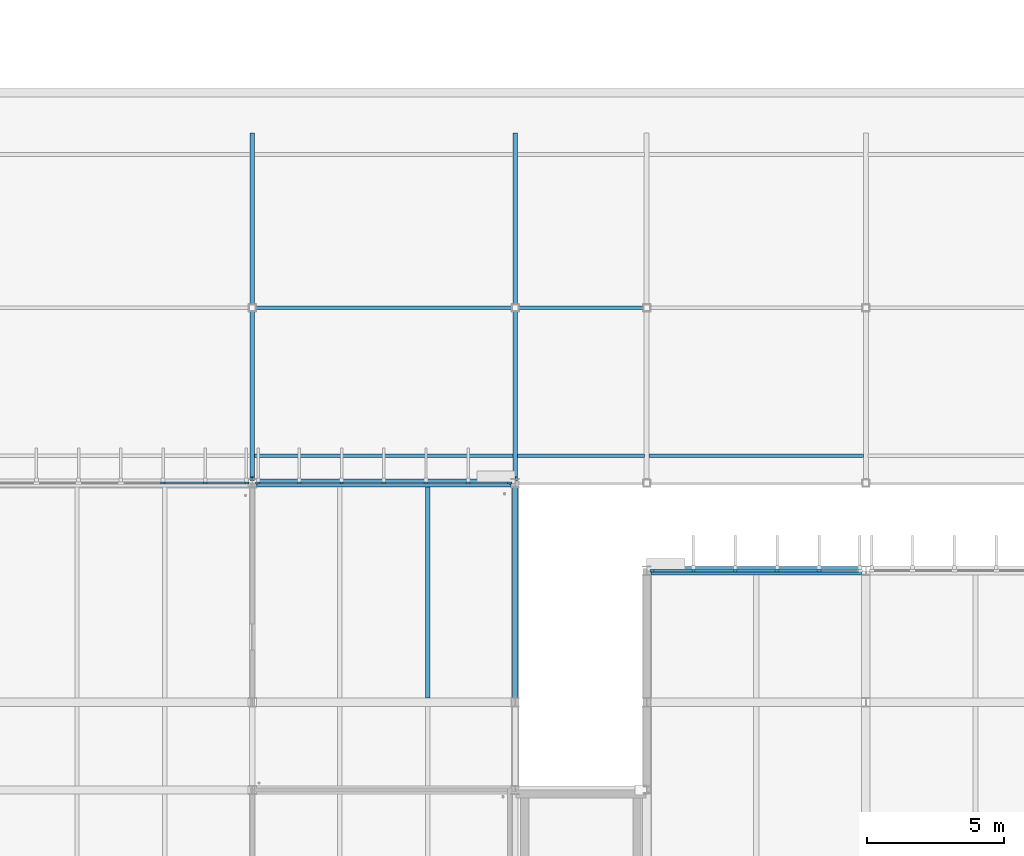
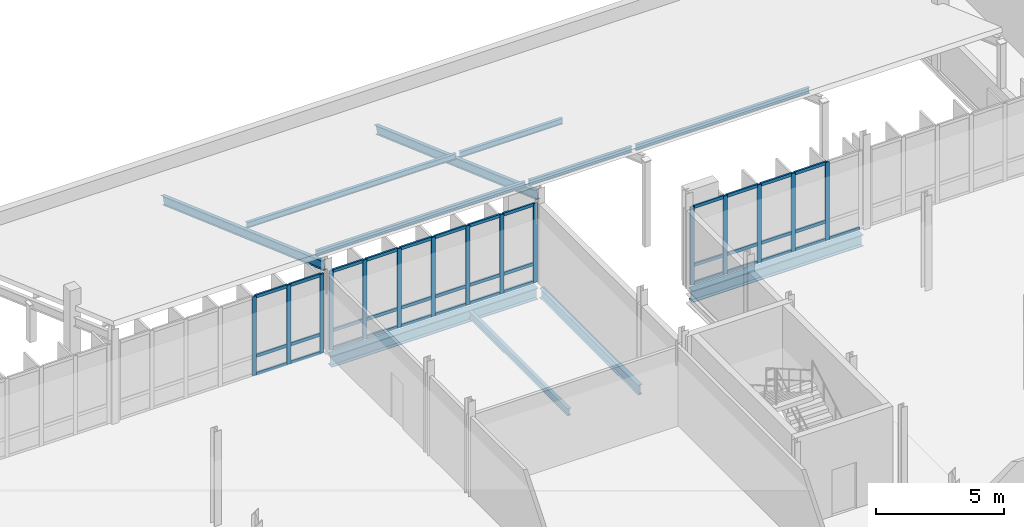
# One storey, part 31 of 107: 59 members, 4 beams, 3 elements without a shape of their own.
"""IFC4 building model written with IfcOpenShell, lengths in metres."""

import ifcopenshell
import ifcopenshell.guid

model = None  # the IFC model being written
_history = None  # IfcOwnerHistory: only IFC2X3 demands one
_inside = {}  # id of a spatial element -> (the spatial element, [elements in it])
_under = {}  # id of a project, library or spatial element -> (it, [spatial elements below it])
_declared = {}  # id of a project -> (the project, [libraries it declares])
_typed = {}  # id of a type object -> (the type object, [elements of that type])
_made_of = {}  # id of a material, layer set ... -> (it, [elements and type objects made of it])


def new_model(schema):
    """Start an empty IFC model of exactly this schema.

    Asked for "IFC4X3", IfcOpenShell would pick the latest addendum, in which some entities
    have other attributes; the version numbers below select the first issue.
    IFC2X3 requires an IfcOwnerHistory on every rooted entity: one is made here for all.
    """
    global model, _history
    if schema == "IFC4X3":
        model = ifcopenshell.file(schema_version=(4, 3, 0, 0))
    else:
        model = ifcopenshell.file(schema=schema)
    _inside.clear()
    _under.clear()
    _declared.clear()
    _typed.clear()
    _made_of.clear()
    _history = None
    if model.schema == "IFC2X3":
        org = make("IfcOrganization", Name="unknown")
        user = make(
            "IfcPersonAndOrganization",
            ThePerson=make("IfcPerson", FamilyName="unknown"),
            TheOrganization=org,
        )
        app = make(
            "IfcApplication",
            ApplicationDeveloper=org,
            Version="unknown",
            ApplicationFullName="unknown",
            ApplicationIdentifier="unknown",
        )
        _history = make(
            "IfcOwnerHistory",
            OwningUser=user,
            OwningApplication=app,
            ChangeAction="ADDED",
            CreationDate=0,
        )
    return model


def make(cls, **values):
    """One entity of the class cls with the attributes given. An attribute that is None is left unset."""
    return model.create_entity(
        cls, **{name: value for name, value in values.items() if value is not None}
    )


def rooted(cls, **values):
    """An entity with a GlobalId (a new one), such as an element, a storey or a relation."""
    return make(cls, GlobalId=ifcopenshell.guid.new(), OwnerHistory=_history, **values)


def si_unit(unit_type, name, prefix=None):
    """IfcSIUnit, for example si_unit("LENGTHUNIT", "METRE", prefix="MILLI")."""
    return make("IfcSIUnit", UnitType=unit_type, Prefix=prefix, Name=name)


def assignment(units):
    """IfcUnitAssignment: the units of a project."""
    return None if units is None else make("IfcUnitAssignment", Units=units)


def point(xyz):
    """IfcCartesianPoint."""
    return None if xyz is None else make("IfcCartesianPoint", Coordinates=xyz)


def direction(xyz):
    """IfcDirection."""
    return None if xyz is None else make("IfcDirection", DirectionRatios=xyz)


def frame(location, z_axis=None, x_axis=None):
    """IfcAxis2Placement3D, a coordinate frame: its origin and axes. An axis left out is left unset."""
    return make(
        "IfcAxis2Placement3D",
        Location=point(location),
        Axis=direction(z_axis),
        RefDirection=direction(x_axis),
    )


def frame_2d(location, x_axis=None):
    """IfcAxis2Placement2D, a coordinate frame in the plane: its origin and x axis."""
    return make(
        "IfcAxis2Placement2D", Location=point(location), RefDirection=direction(x_axis)
    )


def origin():
    """The frame at (0, 0, 0) with its axes left unset."""
    return frame((0.0, 0.0, 0.0))


def origin_2d():
    """The frame at (0, 0) in the plane with its x axis left unset."""
    return frame_2d((0.0, 0.0))


def place(relative_to, where):
    """IfcLocalPlacement: puts the frame where relative to a parent placement (None: the world)."""
    return make(
        "IfcLocalPlacement", PlacementRelTo=relative_to, RelativePlacement=where
    )


def context(
    kind, dimensions, precision=None, world=None, true_north=None, identifier=None
):
    """IfcGeometricRepresentationContext, for example the 3D "Model" context."""
    return make(
        "IfcGeometricRepresentationContext",
        ContextIdentifier=identifier,
        ContextType=kind,
        CoordinateSpaceDimension=dimensions,
        Precision=precision,
        WorldCoordinateSystem=world,
        TrueNorth=true_north,
    )


def subcontext(parent, identifier, kind, view, scale=None):
    """IfcGeometricRepresentationSubContext, for example "Body" below "Model"."""
    return make(
        "IfcGeometricRepresentationSubContext",
        ContextIdentifier=identifier,
        ContextType=kind,
        ParentContext=parent,
        TargetScale=scale,
        TargetView=view,
    )


def project(units=None, contexts=None):
    """IfcProject with its units and contexts."""
    return rooted(
        "IfcProject",
        Name="project",
        RepresentationContexts=contexts,
        UnitsInContext=assignment(units),
    )


def spatial(cls, under=None, at=None, **own):
    """A site, building, storey or space (cls), placed at a placement, below another one or the project."""
    s = rooted(cls, ObjectPlacement=at, **own)
    if under is not None:
        _under.setdefault(under.id(), (under, []))[1].append(s)
    return s


def profile(cls, at=None, kind="AREA", **sizes):
    """A parametric profile (cls). Its sizes go by their IFC names, for example OverallWidth=200.0."""
    return make(cls, ProfileType=kind, Position=at, **sizes)


def rectangle(**sizes):
    """IfcRectangleProfileDef."""
    return profile("IfcRectangleProfileDef", **sizes)


def i_section(**sizes):
    """IfcIShapeProfileDef."""
    return profile("IfcIShapeProfileDef", **sizes)


def extrude(swept, where, along, depth):
    """IfcExtrudedAreaSolid: the profile swept, set in the frame where, extruded along a direction by depth."""
    return make(
        "IfcExtrudedAreaSolid",
        SweptArea=swept,
        Position=where,
        ExtrudedDirection=direction(along),
        Depth=depth,
    )


def shape(context_of_items, identifier, shape_type, items):
    """IfcShapeRepresentation: the items that make up one representation, for example the "Body"."""
    return make(
        "IfcShapeRepresentation",
        ContextOfItems=context_of_items,
        RepresentationIdentifier=identifier,
        RepresentationType=shape_type,
        Items=items,
    )


def material(Name=None, Category=None):
    """IfcMaterial."""
    return make("IfcMaterial", Name=Name, Category=Category)


def material_profile(
    of_material, cross_section, Name=None, Category=None, Priority=None
):
    """IfcMaterialProfile: a cross section and its material."""
    return make(
        "IfcMaterialProfile",
        Name=Name,
        Material=of_material,
        Profile=cross_section,
        Priority=Priority,
        Category=Category,
    )


def profile_set(profiles, Name=None, composite=None):
    """IfcMaterialProfileSet."""
    return make(
        "IfcMaterialProfileSet",
        Name=Name,
        MaterialProfiles=profiles,
        CompositeProfile=composite,
    )


def made_of(thing, what):
    """Note that an element or type object is made of a material, layer set ...; save() writes the relation."""
    if what is not None:
        _made_of.setdefault(what.id(), (what, []))[1].append(thing)
    return thing


def type_object(cls, material=None, **own):
    """A type object (cls), such as IfcWallType, which elements share."""
    return made_of(rooted(cls, **own), material)


def element(
    cls,
    number,
    at=None,
    inside=None,
    cuts=None,
    type_object=None,
    material=None,
    context=None,
    identifier="Body",
    shape_type=None,
    held_by="IfcProductDefinitionShape",
    body=None,
    shapes=None,
    **own,
):
    """One element of the class cls, such as IfcWall. Its Tag is "e" and its number.

    at: its placement. inside: the storey or other place that contains it. cuts: it is an
    opening in that element (IfcRelVoidsElement). A single representation is given by context,
    identifier, shape_type and body (its items); several are given by shapes. held_by: the class
    of the entity that holds the representations. save() writes the other relations.
    """
    e = rooted(cls, Tag="e%d" % number, ObjectPlacement=at, **own)
    if body is not None:
        shapes = [shape(context, identifier, shape_type, body)]
    if shapes is not None:
        e.Representation = make(held_by, Representations=shapes)
    if inside is not None:
        _inside.setdefault(inside.id(), (inside, []))[1].append(e)
    if cuts is not None:
        rooted(
            "IfcRelVoidsElement", RelatingBuildingElement=cuts, RelatedOpeningElement=e
        )
    if type_object is not None:
        _typed.setdefault(type_object.id(), (type_object, []))[1].append(e)
    return made_of(e, material)


def aggregate(whole, parts):
    """IfcRelAggregates: a whole, such as a stair, and the parts it consists of."""
    return rooted("IfcRelAggregates", RelatingObject=whole, RelatedObjects=parts)


def save(model, path):
    """Write the relations noted so far, then the file.

    IfcRelAggregates (storeys below a building ...), IfcRelContainedInSpatialStructure (elements
    in a storey), IfcRelDefinesByType, IfcRelAssociatesMaterial and IfcRelDeclares: one each for
    every whole, place, type object, material and project.
    """
    for whole, parts in _under.values():
        aggregate(whole, parts)
    for where, things in _inside.values():
        rooted(
            "IfcRelContainedInSpatialStructure",
            RelatedElements=things,
            RelatingStructure=where,
        )
    for kind, things in _typed.values():
        rooted("IfcRelDefinesByType", RelatedObjects=things, RelatingType=kind)
    for what, things in _made_of.values():
        rooted("IfcRelAssociatesMaterial", RelatedObjects=things, RelatingMaterial=what)
    for by, libraries in _declared.values():
        rooted("IfcRelDeclares", RelatingContext=by, RelatedDefinitions=libraries)
    model.write(path)


model = new_model("IFC4")

# Units and contexts
model_context = context("Model", 3, precision=1e-05, world=origin(), true_north=direction((0.0, 1.0)))
body_context = subcontext(model_context, "Body", "Model", "MODEL_VIEW")
ifc_project = project(units=[si_unit("LENGTHUNIT", "METRE"), si_unit("AREAUNIT", "SQUARE_METRE"), si_unit("VOLUMEUNIT", "CUBIC_METRE"), si_unit("PLANEANGLEUNIT", "RADIAN"), si_unit("MASSUNIT", "GRAM", prefix="KILO")], contexts=[model_context])

# Site, building, storey
site_placement = place(None, origin())
site = spatial("IfcSite", under=ifc_project, at=site_placement, CompositionType="ELEMENT")
building_placement = place(site_placement, origin())
building = spatial("IfcBuilding", under=site, at=building_placement, Name="Dunescarp Central Library", CompositionType="ELEMENT")
storey_placement = place(building_placement, frame((0.0, 0.0, 5.10009765625)))
storey = spatial("IfcBuildingStorey", under=building, at=storey_placement, Name="L01", CompositionType="ELEMENT", Elevation=5.10009765625)

# Curtain wall, members
ifc_material_1 = material(Name="Marine-grade anodised aluminium 6063-T6", Category="aluminium")
curtain_wall_type = type_object("IfcCurtainWallType", Name="ARC-CW-STICK", PredefinedType="NOTDEFINED", material=ifc_material_1)
curtain_wall_1_placement = place(storey_placement, origin())
curtain_wall_1 = element("IfcCurtainWall", 1, at=curtain_wall_1_placement, inside=storey, type_object=curtain_wall_type, Name="L01 curtain wall CW-V2-052", PredefinedType="NOTDEFINED")
ifc_material_profile_1 = material_profile(ifc_material_1, rectangle(XDim=0.080078125, YDim=0.179931640625, at=origin_2d()), Name="AL 80x180")
ifc_profile_set_1 = profile_set([ifc_material_profile_1], Name="Marine-grade anodised aluminium 6063-T6")
member_type_1 = type_object("IfcMemberType", Name="ARC-CWM-180", PredefinedType="MULLION", material=ifc_profile_set_1)
member_1_placement = place(storey_placement, frame((63.941650390625, 36.800048828125, 0.0), z_axis=(0.0, 0.0, 1.0), x_axis=(0.0, 1.0, 0.0)))
member_1 = element("IfcMember", 2, at=member_1_placement, type_object=member_type_1, Name="CW-V2-052 mullion 5", PredefinedType="MULLION", context=body_context, shape_type="SweptSolid", body=[
    extrude(rectangle(XDim=0.080078125, YDim=0.179931640625, at=origin_2d()), origin(), (0.0, 0.0, 1.0), 3.764892578125),
])
member_2_placement = place(storey_placement, frame((65.4833984375, 36.800048828125, 0.0), z_axis=(0.0, 0.0, 1.0), x_axis=(0.0, 1.0, 0.0)))
member_2 = element("IfcMember", 3, at=member_2_placement, type_object=member_type_1, Name="CW-V2-052 mullion 6", PredefinedType="MULLION", context=body_context, shape_type="SweptSolid", body=[
    extrude(rectangle(XDim=0.080078125, YDim=0.179931640625, at=origin_2d()), origin(), (0.0, 0.0, 1.0), 3.764892578125),
])
member_3_placement = place(storey_placement, frame((66.985107421875, 36.800048828125, 0.0), z_axis=(0.0, 0.0, 1.0), x_axis=(0.0, 1.0, 0.0)))
member_3 = element("IfcMember", 4, at=member_3_placement, type_object=member_type_1, Name="CW-V2-052 mullion 7", PredefinedType="MULLION", context=body_context, shape_type="SweptSolid", body=[
    extrude(rectangle(XDim=0.080078125, YDim=0.179931640625, at=origin_2d()), origin(), (0.0, 0.0, 1.0), 3.764892578125),
])

curtain_wall_2_placement = place(storey_placement, origin())
curtain_wall_2 = element("IfcCurtainWall", 5, at=curtain_wall_2_placement, inside=storey, type_object=curtain_wall_type, Name="L01 curtain wall CW-V2-053", PredefinedType="NOTDEFINED")
member_4_placement = place(storey_placement, frame((67.4150390625, 36.800048828125, 0.0), z_axis=(0.0, 0.0, 1.0), x_axis=(0.0, 1.0, 0.0)))
member_4 = element("IfcMember", 6, at=member_4_placement, type_object=member_type_1, Name="CW-V2-053 mullion 1", PredefinedType="MULLION", context=body_context, shape_type="SweptSolid", body=[
    extrude(rectangle(XDim=0.080078125, YDim=0.179931640625, at=origin_2d()), origin(), (0.0, 0.0, 1.0), 3.764892578125),
])
member_5_placement = place(storey_placement, frame((68.916748046875, 36.800048828125, 0.0), z_axis=(0.0, 0.0, 1.0), x_axis=(0.0, 1.0, 0.0)))
member_5 = element("IfcMember", 7, at=member_5_placement, type_object=member_type_1, Name="CW-V2-053 mullion 2", PredefinedType="MULLION", context=body_context, shape_type="SweptSolid", body=[
    extrude(rectangle(XDim=0.080078125, YDim=0.179931640625, at=origin_2d()), origin(), (0.0, 0.0, 1.0), 3.764892578125),
])
member_6_placement = place(storey_placement, frame((70.458251953125, 36.800048828125, 0.0), z_axis=(0.0, 0.0, 1.0), x_axis=(0.0, 1.0, 0.0)))
member_6 = element("IfcMember", 8, at=member_6_placement, type_object=member_type_1, Name="CW-V2-053 mullion 3", PredefinedType="MULLION", context=body_context, shape_type="SweptSolid", body=[
    extrude(rectangle(XDim=0.080078125, YDim=0.179931640625, at=origin_2d()), origin(), (0.0, 0.0, 1.0), 3.764892578125),
])
member_7_placement = place(storey_placement, frame((72.0, 36.800048828125, 0.0), z_axis=(0.0, 0.0, 1.0), x_axis=(0.0, 1.0, 0.0)))
member_7 = element("IfcMember", 9, at=member_7_placement, type_object=member_type_1, Name="CW-V2-053 mullion 4", PredefinedType="MULLION", context=body_context, shape_type="SweptSolid", body=[
    extrude(rectangle(XDim=0.080078125, YDim=0.179931640625, at=origin_2d()), origin(), (0.0, 0.0, 1.0), 3.764892578125),
])
member_8_placement = place(storey_placement, frame((73.541748046875, 36.800048828125, 0.0), z_axis=(0.0, 0.0, 1.0), x_axis=(0.0, 1.0, 0.0)))
member_8 = element("IfcMember", 10, at=member_8_placement, type_object=member_type_1, Name="CW-V2-053 mullion 5", PredefinedType="MULLION", context=body_context, shape_type="SweptSolid", body=[
    extrude(rectangle(XDim=0.080078125, YDim=0.179931640625, at=origin_2d()), origin(), (0.0, 0.0, 1.0), 3.764892578125),
])
member_9_placement = place(storey_placement, frame((75.083251953125, 36.800048828125, 0.0), z_axis=(0.0, 0.0, 1.0), x_axis=(0.0, 1.0, 0.0)))
member_9 = element("IfcMember", 11, at=member_9_placement, type_object=member_type_1, Name="CW-V2-053 mullion 6", PredefinedType="MULLION", context=body_context, shape_type="SweptSolid", body=[
    extrude(rectangle(XDim=0.080078125, YDim=0.179931640625, at=origin_2d()), origin(), (0.0, 0.0, 1.0), 3.764892578125),
])
member_10_placement = place(storey_placement, frame((76.5849609375, 36.800048828125, 0.0), z_axis=(0.0, 0.0, 1.0), x_axis=(0.0, 1.0, 0.0)))
member_10 = element("IfcMember", 12, at=member_10_placement, type_object=member_type_1, Name="CW-V2-053 mullion 7", PredefinedType="MULLION", context=body_context, shape_type="SweptSolid", body=[
    extrude(rectangle(XDim=0.080078125, YDim=0.179931640625, at=origin_2d()), origin(), (0.0, 0.0, 1.0), 3.764892578125),
])

curtain_wall_3_placement = place(storey_placement, origin())
curtain_wall_3 = element("IfcCurtainWall", 13, at=curtain_wall_3_placement, inside=storey, type_object=curtain_wall_type, Name="L01 curtain wall CW-V3-088", PredefinedType="NOTDEFINED")
member_11_placement = place(storey_placement, frame((81.81494140625, 33.60009765625, 0.0), z_axis=(0.0, 0.0, 1.0), x_axis=(0.0, 1.0, 0.0)))
member_11 = element("IfcMember", 14, at=member_11_placement, type_object=member_type_1, Name="CW-V3-088 mullion 1", PredefinedType="MULLION", context=body_context, shape_type="SweptSolid", body=[
    extrude(rectangle(XDim=0.080078125, YDim=0.179931640625, at=origin_2d()), origin(), (0.0, 0.0, 1.0), 3.71484375),
])
member_12_placement = place(storey_placement, frame((83.304931640625, 33.60009765625, 0.0), z_axis=(0.0, 0.0, 1.0), x_axis=(0.0, 1.0, 0.0)))
member_12 = element("IfcMember", 15, at=member_12_placement, type_object=member_type_1, Name="CW-V3-088 mullion 2", PredefinedType="MULLION", context=body_context, shape_type="SweptSolid", body=[
    extrude(rectangle(XDim=0.080078125, YDim=0.179931640625, at=origin_2d()), origin(), (0.0, 0.0, 1.0), 3.71484375),
])
member_13_placement = place(storey_placement, frame((84.8349609375, 33.60009765625, 0.0), z_axis=(0.0, 0.0, 1.0), x_axis=(0.0, 1.0, 0.0)))
member_13 = element("IfcMember", 16, at=member_13_placement, type_object=member_type_1, Name="CW-V3-088 mullion 3", PredefinedType="MULLION", context=body_context, shape_type="SweptSolid", body=[
    extrude(rectangle(XDim=0.080078125, YDim=0.179931640625, at=origin_2d()), origin(), (0.0, 0.0, 1.0), 3.71484375),
])
member_14_placement = place(storey_placement, frame((86.364990234375, 33.60009765625, 0.0), z_axis=(0.0, 0.0, 1.0), x_axis=(0.0, 1.0, 0.0)))
member_14 = element("IfcMember", 17, at=member_14_placement, type_object=member_type_1, Name="CW-V3-088 mullion 4", PredefinedType="MULLION", context=body_context, shape_type="SweptSolid", body=[
    extrude(rectangle(XDim=0.080078125, YDim=0.179931640625, at=origin_2d()), origin(), (0.0, 0.0, 1.0), 3.71484375),
])
member_15_placement = place(storey_placement, frame((87.89501953125, 33.60009765625, 0.0), z_axis=(0.0, 0.0, 1.0), x_axis=(0.0, 1.0, 0.0)))
member_15 = element("IfcMember", 18, at=member_15_placement, type_object=member_type_1, Name="CW-V3-088 mullion 5", PredefinedType="MULLION", context=body_context, shape_type="SweptSolid", body=[
    extrude(rectangle(XDim=0.080078125, YDim=0.179931640625, at=origin_2d()), origin(), (0.0, 0.0, 1.0), 3.71484375),
])

# Member
ifc_material_profile_2 = material_profile(ifc_material_1, rectangle(XDim=0.080078125, YDim=0.14990234375, at=origin_2d()), Name="AL 80x150")
ifc_profile_set_2 = profile_set([ifc_material_profile_2], Name="Marine-grade anodised aluminium 6063-T6")
member_type_2 = type_object("IfcMemberType", Name="ARC-CWT-150", PredefinedType="USERDEFINED", material=ifc_profile_set_2)
member_16_placement = place(storey_placement, frame((63.981689453125, 36.800048828125, 0.039794921875), z_axis=(1.0, 0.0, 0.0), x_axis=(0.0, 1.0, 0.0)))
member_16 = element("IfcMember", 19, at=member_16_placement, type_object=member_type_2, Name="CW-V2-052 transom 5.1", ObjectType="TRANSOM", PredefinedType="USERDEFINED", context=body_context, shape_type="SweptSolid", body=[
    extrude(rectangle(XDim=0.080078125, YDim=0.14990234375, at=origin_2d()), origin(), (0.0, 0.0, 1.0), 1.461669921875),
])

member_17_placement = place(storey_placement, frame((63.981689453125, 36.800048828125, 0.89990234375), z_axis=(1.0, 0.0, 0.0), x_axis=(0.0, 1.0, 0.0)))
member_17 = element("IfcMember", 20, at=member_17_placement, type_object=member_type_2, Name="CW-V2-052 transom 5.2", ObjectType="TRANSOM", PredefinedType="USERDEFINED", context=body_context, shape_type="SweptSolid", body=[
    extrude(rectangle(XDim=0.080078125, YDim=0.14990234375, at=origin_2d()), origin(), (0.0, 0.0, 1.0), 1.461669921875),
])

member_18_placement = place(storey_placement, frame((63.981689453125, 36.800048828125, 3.724853515625), z_axis=(1.0, 0.0, 0.0), x_axis=(0.0, 1.0, 0.0)))
member_18 = element("IfcMember", 21, at=member_18_placement, type_object=member_type_2, Name="CW-V2-052 transom 5.3", ObjectType="TRANSOM", PredefinedType="USERDEFINED", context=body_context, shape_type="SweptSolid", body=[
    extrude(rectangle(XDim=0.080078125, YDim=0.14990234375, at=origin_2d()), origin(), (0.0, 0.0, 1.0), 1.461669921875),
])

member_19_placement = place(storey_placement, frame((65.5234375, 36.800048828125, 0.039794921875), z_axis=(1.0, 0.0, 0.0), x_axis=(0.0, 1.0, 0.0)))
member_19 = element("IfcMember", 22, at=member_19_placement, type_object=member_type_2, Name="CW-V2-052 transom 6.1", ObjectType="TRANSOM", PredefinedType="USERDEFINED", context=body_context, shape_type="SweptSolid", body=[
    extrude(rectangle(XDim=0.080078125, YDim=0.14990234375, at=origin_2d()), origin(), (0.0, 0.0, 1.0), 1.421630859375),
])

member_20_placement = place(storey_placement, frame((65.5234375, 36.800048828125, 0.89990234375), z_axis=(1.0, 0.0, 0.0), x_axis=(0.0, 1.0, 0.0)))
member_20 = element("IfcMember", 23, at=member_20_placement, type_object=member_type_2, Name="CW-V2-052 transom 6.2", ObjectType="TRANSOM", PredefinedType="USERDEFINED", context=body_context, shape_type="SweptSolid", body=[
    extrude(rectangle(XDim=0.080078125, YDim=0.14990234375, at=origin_2d()), origin(), (0.0, 0.0, 1.0), 1.421630859375),
])

member_21_placement = place(storey_placement, frame((65.5234375, 36.800048828125, 3.724853515625), z_axis=(1.0, 0.0, 0.0), x_axis=(0.0, 1.0, 0.0)))
member_21 = element("IfcMember", 24, at=member_21_placement, type_object=member_type_2, Name="CW-V2-052 transom 6.3", ObjectType="TRANSOM", PredefinedType="USERDEFINED", context=body_context, shape_type="SweptSolid", body=[
    extrude(rectangle(XDim=0.080078125, YDim=0.14990234375, at=origin_2d()), origin(), (0.0, 0.0, 1.0), 1.421630859375),
])

aggregate(curtain_wall_1, [member_1, member_2, member_3, member_16, member_17, member_18, member_19, member_20, member_21])

member_22_placement = place(storey_placement, frame((67.455078125, 36.800048828125, 0.039794921875), z_axis=(1.0, 0.0, 0.0), x_axis=(0.0, 1.0, 0.0)))
member_22 = element("IfcMember", 25, at=member_22_placement, type_object=member_type_2, Name="CW-V2-053 transom 1.1", ObjectType="TRANSOM", PredefinedType="USERDEFINED", context=body_context, shape_type="SweptSolid", body=[
    extrude(rectangle(XDim=0.080078125, YDim=0.14990234375, at=origin_2d()), origin(), (0.0, 0.0, 1.0), 1.421630859375),
])

member_23_placement = place(storey_placement, frame((67.455078125, 36.800048828125, 0.89990234375), z_axis=(1.0, 0.0, 0.0), x_axis=(0.0, 1.0, 0.0)))
member_23 = element("IfcMember", 26, at=member_23_placement, type_object=member_type_2, Name="CW-V2-053 transom 1.2", ObjectType="TRANSOM", PredefinedType="USERDEFINED", context=body_context, shape_type="SweptSolid", body=[
    extrude(rectangle(XDim=0.080078125, YDim=0.14990234375, at=origin_2d()), origin(), (0.0, 0.0, 1.0), 1.421630859375),
])

member_24_placement = place(storey_placement, frame((67.455078125, 36.800048828125, 3.724853515625), z_axis=(1.0, 0.0, 0.0), x_axis=(0.0, 1.0, 0.0)))
member_24 = element("IfcMember", 27, at=member_24_placement, type_object=member_type_2, Name="CW-V2-053 transom 1.3", ObjectType="TRANSOM", PredefinedType="USERDEFINED", context=body_context, shape_type="SweptSolid", body=[
    extrude(rectangle(XDim=0.080078125, YDim=0.14990234375, at=origin_2d()), origin(), (0.0, 0.0, 1.0), 1.421630859375),
])

member_25_placement = place(storey_placement, frame((68.956787109375, 36.800048828125, 0.039794921875), z_axis=(1.0, 0.0, 0.0), x_axis=(0.0, 1.0, 0.0)))
member_25 = element("IfcMember", 28, at=member_25_placement, type_object=member_type_2, Name="CW-V2-053 transom 2.1", ObjectType="TRANSOM", PredefinedType="USERDEFINED", context=body_context, shape_type="SweptSolid", body=[
    extrude(rectangle(XDim=0.080078125, YDim=0.14990234375, at=origin_2d()), origin(), (0.0, 0.0, 1.0), 1.46142578125),
])

member_26_placement = place(storey_placement, frame((68.956787109375, 36.800048828125, 0.89990234375), z_axis=(1.0, 0.0, 0.0), x_axis=(0.0, 1.0, 0.0)))
member_26 = element("IfcMember", 29, at=member_26_placement, type_object=member_type_2, Name="CW-V2-053 transom 2.2", ObjectType="TRANSOM", PredefinedType="USERDEFINED", context=body_context, shape_type="SweptSolid", body=[
    extrude(rectangle(XDim=0.080078125, YDim=0.14990234375, at=origin_2d()), origin(), (0.0, 0.0, 1.0), 1.46142578125),
])

member_27_placement = place(storey_placement, frame((68.956787109375, 36.800048828125, 3.724853515625), z_axis=(1.0, 0.0, 0.0), x_axis=(0.0, 1.0, 0.0)))
member_27 = element("IfcMember", 30, at=member_27_placement, type_object=member_type_2, Name="CW-V2-053 transom 2.3", ObjectType="TRANSOM", PredefinedType="USERDEFINED", context=body_context, shape_type="SweptSolid", body=[
    extrude(rectangle(XDim=0.080078125, YDim=0.14990234375, at=origin_2d()), origin(), (0.0, 0.0, 1.0), 1.46142578125),
])

member_28_placement = place(storey_placement, frame((70.498291015625, 36.800048828125, 0.039794921875), z_axis=(1.0, 0.0, 0.0), x_axis=(0.0, 1.0, 0.0)))
member_28 = element("IfcMember", 31, at=member_28_placement, type_object=member_type_2, Name="CW-V2-053 transom 3.1", ObjectType="TRANSOM", PredefinedType="USERDEFINED", context=body_context, shape_type="SweptSolid", body=[
    extrude(rectangle(XDim=0.080078125, YDim=0.14990234375, at=origin_2d()), origin(), (0.0, 0.0, 1.0), 1.461669921875),
])

member_29_placement = place(storey_placement, frame((70.498291015625, 36.800048828125, 0.89990234375), z_axis=(1.0, 0.0, 0.0), x_axis=(0.0, 1.0, 0.0)))
member_29 = element("IfcMember", 32, at=member_29_placement, type_object=member_type_2, Name="CW-V2-053 transom 3.2", ObjectType="TRANSOM", PredefinedType="USERDEFINED", context=body_context, shape_type="SweptSolid", body=[
    extrude(rectangle(XDim=0.080078125, YDim=0.14990234375, at=origin_2d()), origin(), (0.0, 0.0, 1.0), 1.461669921875),
])

member_30_placement = place(storey_placement, frame((70.498291015625, 36.800048828125, 3.724853515625), z_axis=(1.0, 0.0, 0.0), x_axis=(0.0, 1.0, 0.0)))
member_30 = element("IfcMember", 33, at=member_30_placement, type_object=member_type_2, Name="CW-V2-053 transom 3.3", ObjectType="TRANSOM", PredefinedType="USERDEFINED", context=body_context, shape_type="SweptSolid", body=[
    extrude(rectangle(XDim=0.080078125, YDim=0.14990234375, at=origin_2d()), origin(), (0.0, 0.0, 1.0), 1.461669921875),
])

member_31_placement = place(storey_placement, frame((72.0400390625, 36.800048828125, 0.039794921875), z_axis=(1.0, 0.0, 0.0), x_axis=(0.0, 1.0, 0.0)))
member_31 = element("IfcMember", 34, at=member_31_placement, type_object=member_type_2, Name="CW-V2-053 transom 4.1", ObjectType="TRANSOM", PredefinedType="USERDEFINED", context=body_context, shape_type="SweptSolid", body=[
    extrude(rectangle(XDim=0.080078125, YDim=0.14990234375, at=origin_2d()), origin(), (0.0, 0.0, 1.0), 1.461669921875),
])

member_32_placement = place(storey_placement, frame((72.0400390625, 36.800048828125, 0.89990234375), z_axis=(1.0, 0.0, 0.0), x_axis=(0.0, 1.0, 0.0)))
member_32 = element("IfcMember", 35, at=member_32_placement, type_object=member_type_2, Name="CW-V2-053 transom 4.2", ObjectType="TRANSOM", PredefinedType="USERDEFINED", context=body_context, shape_type="SweptSolid", body=[
    extrude(rectangle(XDim=0.080078125, YDim=0.14990234375, at=origin_2d()), origin(), (0.0, 0.0, 1.0), 1.461669921875),
])

member_33_placement = place(storey_placement, frame((72.0400390625, 36.800048828125, 3.724853515625), z_axis=(1.0, 0.0, 0.0), x_axis=(0.0, 1.0, 0.0)))
member_33 = element("IfcMember", 36, at=member_33_placement, type_object=member_type_2, Name="CW-V2-053 transom 4.3", ObjectType="TRANSOM", PredefinedType="USERDEFINED", context=body_context, shape_type="SweptSolid", body=[
    extrude(rectangle(XDim=0.080078125, YDim=0.14990234375, at=origin_2d()), origin(), (0.0, 0.0, 1.0), 1.461669921875),
])

member_34_placement = place(storey_placement, frame((73.581787109375, 36.800048828125, 0.039794921875), z_axis=(1.0, 0.0, 0.0), x_axis=(0.0, 1.0, 0.0)))
member_34 = element("IfcMember", 37, at=member_34_placement, type_object=member_type_2, Name="CW-V2-053 transom 5.1", ObjectType="TRANSOM", PredefinedType="USERDEFINED", context=body_context, shape_type="SweptSolid", body=[
    extrude(rectangle(XDim=0.080078125, YDim=0.14990234375, at=origin_2d()), origin(), (0.0, 0.0, 1.0), 1.46142578125),
])

member_35_placement = place(storey_placement, frame((73.581787109375, 36.800048828125, 0.89990234375), z_axis=(1.0, 0.0, 0.0), x_axis=(0.0, 1.0, 0.0)))
member_35 = element("IfcMember", 38, at=member_35_placement, type_object=member_type_2, Name="CW-V2-053 transom 5.2", ObjectType="TRANSOM", PredefinedType="USERDEFINED", context=body_context, shape_type="SweptSolid", body=[
    extrude(rectangle(XDim=0.080078125, YDim=0.14990234375, at=origin_2d()), origin(), (0.0, 0.0, 1.0), 1.46142578125),
])

member_36_placement = place(storey_placement, frame((73.581787109375, 36.800048828125, 3.724853515625), z_axis=(1.0, 0.0, 0.0), x_axis=(0.0, 1.0, 0.0)))
member_36 = element("IfcMember", 39, at=member_36_placement, type_object=member_type_2, Name="CW-V2-053 transom 5.3", ObjectType="TRANSOM", PredefinedType="USERDEFINED", context=body_context, shape_type="SweptSolid", body=[
    extrude(rectangle(XDim=0.080078125, YDim=0.14990234375, at=origin_2d()), origin(), (0.0, 0.0, 1.0), 1.46142578125),
])

member_37_placement = place(storey_placement, frame((75.123291015625, 36.800048828125, 0.039794921875), z_axis=(1.0, 0.0, 0.0), x_axis=(0.0, 1.0, 0.0)))
member_37 = element("IfcMember", 40, at=member_37_placement, type_object=member_type_2, Name="CW-V2-053 transom 6.1", ObjectType="TRANSOM", PredefinedType="USERDEFINED", context=body_context, shape_type="SweptSolid", body=[
    extrude(rectangle(XDim=0.080078125, YDim=0.14990234375, at=origin_2d()), origin(), (0.0, 0.0, 1.0), 1.421630859375),
])

member_38_placement = place(storey_placement, frame((75.123291015625, 36.800048828125, 0.89990234375), z_axis=(1.0, 0.0, 0.0), x_axis=(0.0, 1.0, 0.0)))
member_38 = element("IfcMember", 41, at=member_38_placement, type_object=member_type_2, Name="CW-V2-053 transom 6.2", ObjectType="TRANSOM", PredefinedType="USERDEFINED", context=body_context, shape_type="SweptSolid", body=[
    extrude(rectangle(XDim=0.080078125, YDim=0.14990234375, at=origin_2d()), origin(), (0.0, 0.0, 1.0), 1.421630859375),
])

member_39_placement = place(storey_placement, frame((75.123291015625, 36.800048828125, 3.724853515625), z_axis=(1.0, 0.0, 0.0), x_axis=(0.0, 1.0, 0.0)))
member_39 = element("IfcMember", 42, at=member_39_placement, type_object=member_type_2, Name="CW-V2-053 transom 6.3", ObjectType="TRANSOM", PredefinedType="USERDEFINED", context=body_context, shape_type="SweptSolid", body=[
    extrude(rectangle(XDim=0.080078125, YDim=0.14990234375, at=origin_2d()), origin(), (0.0, 0.0, 1.0), 1.421630859375),
])

aggregate(curtain_wall_2, [member_4, member_5, member_6, member_7, member_8, member_9, member_10, member_22, member_23, member_24, member_25, member_26, member_27, member_28, member_29, member_30, member_31, member_32, member_33, member_34, member_35, member_36, member_37, member_38, member_39])

member_40_placement = place(storey_placement, frame((81.85498046875, 33.60009765625, 0.039794921875), z_axis=(1.0, 0.0, 0.0), x_axis=(0.0, 1.0, 0.0)))
member_40 = element("IfcMember", 43, at=member_40_placement, type_object=member_type_2, Name="CW-V3-088 transom 1.1", ObjectType="TRANSOM", PredefinedType="USERDEFINED", context=body_context, shape_type="SweptSolid", body=[
    extrude(rectangle(XDim=0.080078125, YDim=0.14990234375, at=origin_2d()), origin(), (0.0, 0.0, 1.0), 1.409912109375),
])

member_41_placement = place(storey_placement, frame((81.85498046875, 33.60009765625, 0.89990234375), z_axis=(1.0, 0.0, 0.0), x_axis=(0.0, 1.0, 0.0)))
member_41 = element("IfcMember", 44, at=member_41_placement, type_object=member_type_2, Name="CW-V3-088 transom 1.2", ObjectType="TRANSOM", PredefinedType="USERDEFINED", context=body_context, shape_type="SweptSolid", body=[
    extrude(rectangle(XDim=0.080078125, YDim=0.14990234375, at=origin_2d()), origin(), (0.0, 0.0, 1.0), 1.409912109375),
])

member_42_placement = place(storey_placement, frame((81.85498046875, 33.60009765625, 3.6748046875), z_axis=(1.0, 0.0, 0.0), x_axis=(0.0, 1.0, 0.0)))
member_42 = element("IfcMember", 45, at=member_42_placement, type_object=member_type_2, Name="CW-V3-088 transom 1.3", ObjectType="TRANSOM", PredefinedType="USERDEFINED", context=body_context, shape_type="SweptSolid", body=[
    extrude(rectangle(XDim=0.080078125, YDim=0.14990234375, at=origin_2d()), origin(), (0.0, 0.0, 1.0), 1.409912109375),
])

member_43_placement = place(storey_placement, frame((83.344970703125, 33.60009765625, 0.039794921875), z_axis=(1.0, 0.0, 0.0), x_axis=(0.0, 1.0, 0.0)))
member_43 = element("IfcMember", 46, at=member_43_placement, type_object=member_type_2, Name="CW-V3-088 transom 2.1", ObjectType="TRANSOM", PredefinedType="USERDEFINED", context=body_context, shape_type="SweptSolid", body=[
    extrude(rectangle(XDim=0.080078125, YDim=0.14990234375, at=origin_2d()), origin(), (0.0, 0.0, 1.0), 1.449951171875),
])

member_44_placement = place(storey_placement, frame((83.344970703125, 33.60009765625, 0.89990234375), z_axis=(1.0, 0.0, 0.0), x_axis=(0.0, 1.0, 0.0)))
member_44 = element("IfcMember", 47, at=member_44_placement, type_object=member_type_2, Name="CW-V3-088 transom 2.2", ObjectType="TRANSOM", PredefinedType="USERDEFINED", context=body_context, shape_type="SweptSolid", body=[
    extrude(rectangle(XDim=0.080078125, YDim=0.14990234375, at=origin_2d()), origin(), (0.0, 0.0, 1.0), 1.449951171875),
])

member_45_placement = place(storey_placement, frame((83.344970703125, 33.60009765625, 3.6748046875), z_axis=(1.0, 0.0, 0.0), x_axis=(0.0, 1.0, 0.0)))
member_45 = element("IfcMember", 48, at=member_45_placement, type_object=member_type_2, Name="CW-V3-088 transom 2.3", ObjectType="TRANSOM", PredefinedType="USERDEFINED", context=body_context, shape_type="SweptSolid", body=[
    extrude(rectangle(XDim=0.080078125, YDim=0.14990234375, at=origin_2d()), origin(), (0.0, 0.0, 1.0), 1.449951171875),
])

member_46_placement = place(storey_placement, frame((84.875, 33.60009765625, 0.039794921875), z_axis=(1.0, 0.0, 0.0), x_axis=(0.0, 1.0, 0.0)))
member_46 = element("IfcMember", 49, at=member_46_placement, type_object=member_type_2, Name="CW-V3-088 transom 3.1", ObjectType="TRANSOM", PredefinedType="USERDEFINED", context=body_context, shape_type="SweptSolid", body=[
    extrude(rectangle(XDim=0.080078125, YDim=0.14990234375, at=origin_2d()), origin(), (0.0, 0.0, 1.0), 1.449951171875),
])

member_47_placement = place(storey_placement, frame((84.875, 33.60009765625, 0.89990234375), z_axis=(1.0, 0.0, 0.0), x_axis=(0.0, 1.0, 0.0)))
member_47 = element("IfcMember", 50, at=member_47_placement, type_object=member_type_2, Name="CW-V3-088 transom 3.2", ObjectType="TRANSOM", PredefinedType="USERDEFINED", context=body_context, shape_type="SweptSolid", body=[
    extrude(rectangle(XDim=0.080078125, YDim=0.14990234375, at=origin_2d()), origin(), (0.0, 0.0, 1.0), 1.449951171875),
])

member_48_placement = place(storey_placement, frame((84.875, 33.60009765625, 3.6748046875), z_axis=(1.0, 0.0, 0.0), x_axis=(0.0, 1.0, 0.0)))
member_48 = element("IfcMember", 51, at=member_48_placement, type_object=member_type_2, Name="CW-V3-088 transom 3.3", ObjectType="TRANSOM", PredefinedType="USERDEFINED", context=body_context, shape_type="SweptSolid", body=[
    extrude(rectangle(XDim=0.080078125, YDim=0.14990234375, at=origin_2d()), origin(), (0.0, 0.0, 1.0), 1.449951171875),
])

member_49_placement = place(storey_placement, frame((86.405029296875, 33.60009765625, 0.039794921875), z_axis=(1.0, 0.0, 0.0), x_axis=(0.0, 1.0, 0.0)))
member_49 = element("IfcMember", 52, at=member_49_placement, type_object=member_type_2, Name="CW-V3-088 transom 4.1", ObjectType="TRANSOM", PredefinedType="USERDEFINED", context=body_context, shape_type="SweptSolid", body=[
    extrude(rectangle(XDim=0.080078125, YDim=0.14990234375, at=origin_2d()), origin(), (0.0, 0.0, 1.0), 1.449951171875),
])

member_50_placement = place(storey_placement, frame((86.405029296875, 33.60009765625, 0.89990234375), z_axis=(1.0, 0.0, 0.0), x_axis=(0.0, 1.0, 0.0)))
member_50 = element("IfcMember", 53, at=member_50_placement, type_object=member_type_2, Name="CW-V3-088 transom 4.2", ObjectType="TRANSOM", PredefinedType="USERDEFINED", context=body_context, shape_type="SweptSolid", body=[
    extrude(rectangle(XDim=0.080078125, YDim=0.14990234375, at=origin_2d()), origin(), (0.0, 0.0, 1.0), 1.449951171875),
])

member_51_placement = place(storey_placement, frame((86.405029296875, 33.60009765625, 3.6748046875), z_axis=(1.0, 0.0, 0.0), x_axis=(0.0, 1.0, 0.0)))
member_51 = element("IfcMember", 54, at=member_51_placement, type_object=member_type_2, Name="CW-V3-088 transom 4.3", ObjectType="TRANSOM", PredefinedType="USERDEFINED", context=body_context, shape_type="SweptSolid", body=[
    extrude(rectangle(XDim=0.080078125, YDim=0.14990234375, at=origin_2d()), origin(), (0.0, 0.0, 1.0), 1.449951171875),
])

member_52_placement = place(storey_placement, frame((87.93505859375, 33.60009765625, 0.039794921875), z_axis=(1.0, 0.0, 0.0), x_axis=(0.0, 1.0, 0.0)))
member_52 = element("IfcMember", 55, at=member_52_placement, type_object=member_type_2, Name="CW-V3-088 transom 5.1", ObjectType="TRANSOM", PredefinedType="USERDEFINED", context=body_context, shape_type="SweptSolid", body=[
    extrude(rectangle(XDim=0.080078125, YDim=0.14990234375, at=origin_2d()), origin(), (0.0, 0.0, 1.0), 1.409912109375),
])

aggregate(curtain_wall_3, [member_11, member_12, member_13, member_14, member_15, member_40, member_41, member_42, member_43, member_44, member_45, member_46, member_47, member_48, member_49, member_50, member_51, member_52])

# Beams
ifc_material_2 = material(Name="Steel S355JR", Category="steel")
ifc_material_profile_3 = material_profile(ifc_material_2, i_section(OverallWidth=0.300048828125, OverallDepth=0.550048828125, WebThickness=0.014892578125, FlangeThickness=0.029052734375, at=origin_2d()), Name="HEB 550")
ifc_profile_set_3 = profile_set([ifc_material_profile_3], Name="Steel S355JR")
beam_type_1 = type_object("IfcBeamType", Name="STR-BM-HEB550", PredefinedType="BEAM", material=ifc_profile_set_3)
beam_1_placement = place(storey_placement, frame((81.75390625, 33.60009765625, -0.4951171875), z_axis=(1.0, 0.0, 0.0), x_axis=(0.0, 1.0, 0.0)))
element("IfcBeam", 56, at=beam_1_placement, inside=storey, type_object=beam_type_1, Name="L01 girder BM-L01-0668", PredefinedType="BEAM", context=body_context, shape_type="SweptSolid", body=[
    extrude(i_section(OverallWidth=0.300048828125, OverallDepth=0.550048828125, WebThickness=0.014892578125, FlangeThickness=0.029052734375, at=origin_2d()), origin(), (0.0, 0.0, 1.0), 7.692138671875),
])
ifc_material_profile_4 = material_profile(ifc_material_2, i_section(OverallWidth=0.19287109375, OverallDepth=0.46728515625, WebThickness=0.011474609375, FlangeThickness=0.01953125, at=origin_2d()), Name="UB 457x191x98")
ifc_profile_set_4 = profile_set([ifc_material_profile_4], Name="Steel S355JR")
beam_type_2 = type_object("IfcBeamType", Name="STR-BM-IPE450", PredefinedType="BEAM", material=ifc_profile_set_4)
beam_2_placement = place(storey_placement, frame((76.800048828125, 28.9609375, -0.4541015625), z_axis=(0.0, 1.0, 0.0), x_axis=(-1.0, 0.0, 0.0)))
element("IfcBeam", 57, at=beam_2_placement, inside=storey, type_object=beam_type_2, Name="L01 girder BM-L01-0400", PredefinedType="BEAM", context=body_context, shape_type="SweptSolid", body=[
    extrude(i_section(OverallWidth=0.19287109375, OverallDepth=0.46728515625, WebThickness=0.011474609375, FlangeThickness=0.01953125, at=origin_2d()), origin(), (0.0, 0.0, 1.0), 7.672119140625),
])
ifc_material_profile_5 = material_profile(ifc_material_2, i_section(OverallWidth=0.300048828125, OverallDepth=0.5400390625, WebThickness=0.012451171875, FlangeThickness=0.02392578125, at=origin_2d()), Name="HEA 550")
ifc_profile_set_5 = profile_set([ifc_material_profile_5], Name="Steel S355JR")
beam_type_3 = type_object("IfcBeamType", Name="STR-BM-IPE500", PredefinedType="BEAM", material=ifc_profile_set_5)
beam_3_placement = place(storey_placement, frame((67.35400390625, 36.800048828125, -0.489990234375), z_axis=(1.0, 0.0, 0.0), x_axis=(0.0, 1.0, 0.0)))
element("IfcBeam", 58, at=beam_3_placement, inside=storey, type_object=beam_type_3, Name="L01 girder BM-L01-0399", PredefinedType="BEAM", context=body_context, shape_type="SweptSolid", body=[
    extrude(i_section(OverallWidth=0.300048828125, OverallDepth=0.5400390625, WebThickness=0.012451171875, FlangeThickness=0.02392578125, at=origin_2d()), origin(), (0.0, 0.0, 1.0), 9.2919921875),
])
ifc_material_profile_6 = material_profile(ifc_material_2, i_section(OverallWidth=0.159912109375, OverallDepth=0.330078125, WebThickness=0.007568359375, FlangeThickness=0.011474609375, at=origin_2d()), Name="IPE 330")
ifc_profile_set_6 = profile_set([ifc_material_profile_6], Name="Steel S355JR")
beam_type_4 = type_object("IfcBeamType", Name="STR-JS-IPE330", PredefinedType="JOIST", material=ifc_profile_set_6)
beam_4_placement = place(storey_placement, frame((73.60009765625, 28.947998046875, -0.385009765625), z_axis=(0.0, 1.0, 0.0), x_axis=(-1.0, 0.0, 0.0)))
element("IfcBeam", 59, at=beam_4_placement, inside=storey, type_object=beam_type_4, Name="L01 joist JS-L01-0402", PredefinedType="JOIST", context=body_context, shape_type="SweptSolid", body=[
    extrude(i_section(OverallWidth=0.159912109375, OverallDepth=0.330078125, WebThickness=0.007568359375, FlangeThickness=0.011474609375, at=origin_2d()), origin(), (0.0, 0.0, 1.0), 7.7041015625),
])

# Members
ifc_material_profile_7 = material_profile(ifc_material_2, i_section(OverallWidth=0.135009765625, OverallDepth=0.27001953125, WebThickness=0.006591796875, FlangeThickness=0.01025390625, at=origin_2d()), Name="IPE 270")
ifc_profile_set_7 = profile_set([ifc_material_profile_7], Name="Steel S355JR")
member_type_3 = type_object("IfcMemberType", Name="STR-PR-IPE270", PredefinedType="PURLIN", material=ifc_profile_set_7)
member_53_placement = place(storey_placement, frame((67.287109375, 37.800048828125, 4.02001953125), z_axis=(1.0, 0.0, 0.0), x_axis=(0.0, 1.0, 0.0)))
element("IfcMember", 60, at=member_53_placement, inside=storey, type_object=member_type_3, Name="CLN roof purlin PR-CLN-073", PredefinedType="PURLIN", context=body_context, shape_type="SweptSolid", body=[
    extrude(i_section(OverallWidth=0.135009765625, OverallDepth=0.27001953125, WebThickness=0.006591796875, FlangeThickness=0.01025390625, at=origin_2d()), origin(), (0.0, 0.0, 1.0), 9.42578125),
])
member_54_placement = place(storey_placement, frame((76.886962890625, 37.800048828125, 4.02001953125), z_axis=(1.0, 0.0, 0.0), x_axis=(0.0, 1.0, 0.0)))
element("IfcMember", 61, at=member_54_placement, inside=storey, type_object=member_type_3, Name="CLN roof purlin PR-CLN-074", PredefinedType="PURLIN", context=body_context, shape_type="SweptSolid", body=[
    extrude(i_section(OverallWidth=0.135009765625, OverallDepth=0.27001953125, WebThickness=0.006591796875, FlangeThickness=0.01025390625, at=origin_2d()), origin(), (0.0, 0.0, 1.0), 4.6259765625),
])
member_55_placement = place(storey_placement, frame((81.68701171875, 37.800048828125, 4.02001953125), z_axis=(1.0, 0.0, 0.0), x_axis=(0.0, 1.0, 0.0)))
element("IfcMember", 62, at=member_55_placement, inside=storey, type_object=member_type_3, Name="CLN roof purlin PR-CLN-075", PredefinedType="PURLIN", context=body_context, shape_type="SweptSolid", body=[
    extrude(i_section(OverallWidth=0.135009765625, OverallDepth=0.27001953125, WebThickness=0.006591796875, FlangeThickness=0.01025390625, at=origin_2d()), origin(), (0.0, 0.0, 1.0), 7.825927734375),
])
member_56_placement = place(storey_placement, frame((67.287109375, 43.199951171875, 2.0869140625), z_axis=(1.0, 0.0, 0.0), x_axis=(0.0, 1.0, 0.0)))
element("IfcMember", 63, at=member_56_placement, inside=storey, type_object=member_type_3, Name="CLN roof purlin PR-CLN-078", PredefinedType="PURLIN", context=body_context, shape_type="SweptSolid", body=[
    extrude(i_section(OverallWidth=0.135009765625, OverallDepth=0.27001953125, WebThickness=0.006591796875, FlangeThickness=0.01025390625, at=origin_2d()), origin(), (0.0, 0.0, 1.0), 9.42578125),
])
member_57_placement = place(storey_placement, frame((76.886962890625, 43.199951171875, 2.0869140625), z_axis=(1.0, 0.0, 0.0), x_axis=(0.0, 1.0, 0.0)))
element("IfcMember", 64, at=member_57_placement, inside=storey, type_object=member_type_3, Name="CLN roof purlin PR-CLN-079", PredefinedType="PURLIN", context=body_context, shape_type="SweptSolid", body=[
    extrude(i_section(OverallWidth=0.135009765625, OverallDepth=0.27001953125, WebThickness=0.006591796875, FlangeThickness=0.01025390625, at=origin_2d()), origin(), (0.0, 0.0, 1.0), 4.6259765625),
])
ifc_material_profile_8 = material_profile(ifc_material_2, i_section(OverallWidth=0.179931640625, OverallDepth=0.39990234375, WebThickness=0.008544921875, FlangeThickness=0.013427734375, at=origin_2d()), Name="IPE 400")
ifc_profile_set_8 = profile_set([ifc_material_profile_8], Name="Steel S355JR")
member_type_4 = type_object("IfcMemberType", Name="STR-RF-IPE400", PredefinedType="RAFTER", material=ifc_profile_set_8)
for number, where, z_axis, x_axis, name in (
    (65, (67.199951171875, 36.955078125, 3.990966796875), (0.0, 0.941540090424, -0.336900961892), (-1.0, 0.0, 0.0), "CLN raked roof rafter RFT-CLN-062"),
    (66, (76.800048828125, 36.955078125, 3.990966796875), (0.0, 0.941540090424, -0.336900961892), (-1.0, 0.0, 0.0), "CLN raked roof rafter RFT-CLN-063"),
):
    element("IfcMember", number, at=place(storey_placement, frame(where, z_axis=z_axis, x_axis=x_axis)), inside=storey, type_object=member_type_4, Name=name, PredefinedType="RAFTER", context=body_context, shape_type="SweptSolid", body=[
        extrude(i_section(OverallWidth=0.179931640625, OverallDepth=0.39990234375, WebThickness=0.008544921875, FlangeThickness=0.013427734375, at=origin_2d()), origin(), (0.0, 0.0, 1.0), 13.339599609375),
    ])

save(model, "model.ifc")
